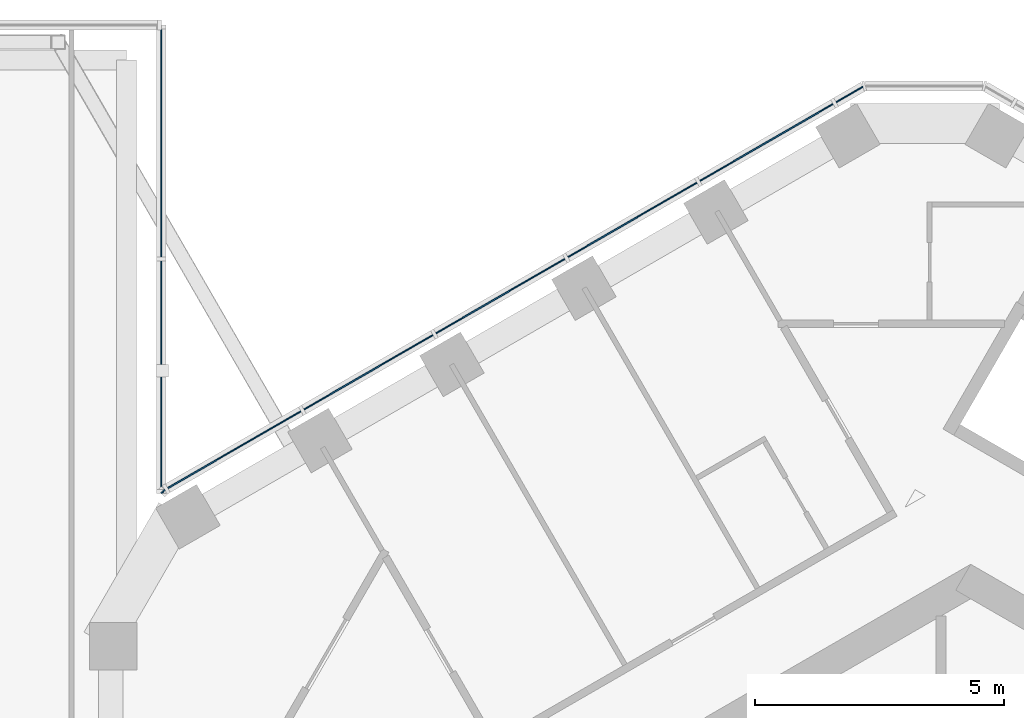
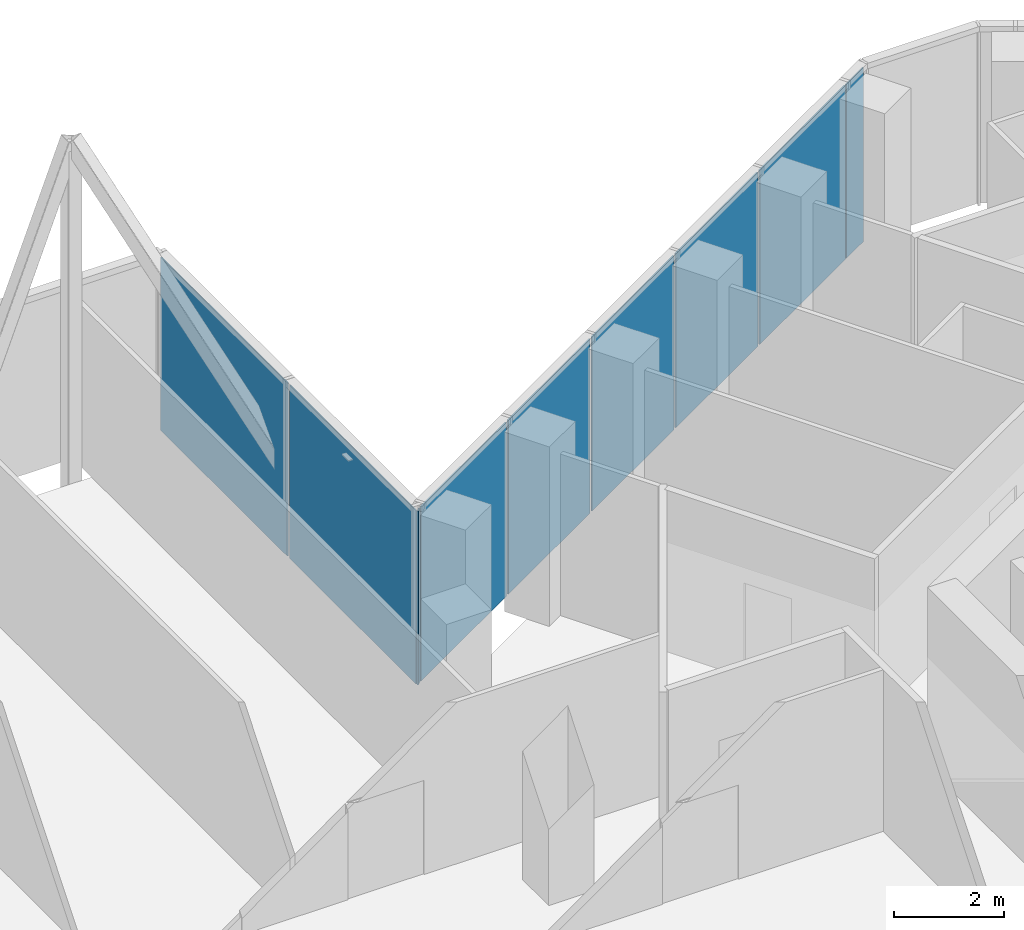
# One storey, part 13 of 21: 9 plates, 4 elements without a shape of their own.
"""IFC4 building model written with IfcOpenShell, lengths in metres."""

from ifc_helpers import new_model, si_unit, direction, frame, origin, origin_2d, place, context, subcontext, project, spatial, rectangle, extrude, material, layer, layer_set, type_object, element, aggregate, save


model = new_model("IFC4")

# Units and contexts
model_context = context("Model", 3, precision=1e-05, world=origin(), true_north=direction((0.0, 1.0)))
body_context = subcontext(model_context, "Body", "Model", "MODEL_VIEW")
ifc_project = project(units=[si_unit("LENGTHUNIT", "METRE"), si_unit("AREAUNIT", "SQUARE_METRE"), si_unit("VOLUMEUNIT", "CUBIC_METRE"), si_unit("PLANEANGLEUNIT", "RADIAN"), si_unit("MASSUNIT", "GRAM", prefix="KILO")], contexts=[model_context])

# Site, building, storey
site_placement = place(None, origin())
site = spatial("IfcSite", under=ifc_project, at=site_placement, CompositionType="ELEMENT")
building_placement = place(site_placement, origin())
building = spatial("IfcBuilding", under=site, at=building_placement, Name="Ayvan Gate Tower", CompositionType="ELEMENT")
storey_placement = place(building_placement, frame((0.0, 0.0, 206.10009765625)))
storey = spatial("IfcBuildingStorey", under=building, at=storey_placement, Name="L55", CompositionType="ELEMENT", Elevation=206.10009765625)

# Curtain wall, plates
ifc_material_1 = material(Name="Bronze anodised aluminium", Category="aluminium")
ifc_layer_1 = layer(ifc_material_1, 0.199951171875)
ifc_layer_set_1 = layer_set([ifc_layer_1], Name="Bronze anodised aluminium")
curtain_wall_type_1 = type_object("IfcCurtainWallType", Name="Stick curtain wall CW-2", PredefinedType="NOTDEFINED", material=ifc_layer_set_1)
curtain_wall_1_placement = place(storey_placement, origin())
curtain_wall_1 = element("IfcCurtainWall", 1, at=curtain_wall_1_placement, inside=storey, type_object=curtain_wall_type_1, Name="Stick curtain wall CW-2 L55", PredefinedType="NOTDEFINED")
ifc_material_2 = material(Name="Clear low-iron laminated glass", Category="glass")
ifc_layer_2 = layer(ifc_material_2, 0.028076171875)
ifc_layer_set_2 = layer_set([ifc_layer_2], Name="Clear low-iron laminated glass")
plate_type_1 = type_object("IfcPlateType", Name="Stick curtain wall CW-2 glass panel", PredefinedType="CURTAIN_PANEL", material=ifc_layer_set_2)
plate_1_placement = place(storey_placement, frame((-4.0849609375, 19.449951171875, 0.0), z_axis=(0.0, 0.0, 1.0), x_axis=(-0.866025403784, -0.5, 0.0)))
plate_1 = element("IfcPlate", 2, at=plate_1_placement, type_object=plate_type_1, Name="CW-2 glass panel 1", PredefinedType="CURTAIN_PANEL", context=body_context, shape_type="SweptSolid", body=[
    extrude(rectangle(XDim=3.123046875, YDim=0.028076171875, at=origin_2d()), origin(), (0.0, 0.0, 1.0), 3.8798828125),
])
plate_2_placement = place(storey_placement, frame((-6.79296875, 17.886474609375, 0.0), z_axis=(0.0, 0.0, 1.0), x_axis=(-0.866025403784, -0.5, 0.0)))
plate_2 = element("IfcPlate", 3, at=plate_2_placement, type_object=plate_type_1, Name="CW-2 glass panel 2", PredefinedType="CURTAIN_PANEL", context=body_context, shape_type="SweptSolid", body=[
    extrude(rectangle(XDim=2.990966796875, YDim=0.028076171875, at=origin_2d()), origin(), (0.0, 0.0, 1.0), 3.8798828125),
])
plate_3_placement = place(storey_placement, frame((-9.443359375, 16.356201171875, 0.0), z_axis=(0.0, 0.0, 1.0), x_axis=(-0.866025403784, -0.5, 0.0)))
plate_3 = element("IfcPlate", 4, at=plate_3_placement, type_object=plate_type_1, Name="CW-2 glass panel 3", PredefinedType="CURTAIN_PANEL", context=body_context, shape_type="SweptSolid", body=[
    extrude(rectangle(XDim=2.989990234375, YDim=0.028076171875, at=origin_2d()), origin(), (0.0, 0.0, 1.0), 3.8798828125),
])
plate_4_placement = place(storey_placement, frame((-12.093994140625, 14.825927734375, 0.0), z_axis=(0.0, 0.0, 1.0), x_axis=(-0.866025403784, -0.5, 0.0)))
plate_4 = element("IfcPlate", 5, at=plate_4_placement, type_object=plate_type_1, Name="CW-2 glass panel 4", PredefinedType="CURTAIN_PANEL", context=body_context, shape_type="SweptSolid", body=[
    extrude(rectangle(XDim=2.990966796875, YDim=0.028076171875, at=origin_2d()), origin(), (0.0, 0.0, 1.0), 3.8798828125),
])
plate_5_placement = place(storey_placement, frame((-14.8017578125, 13.262451171875, 0.0), z_axis=(0.0, 0.0, 1.0), x_axis=(-0.866025403784, -0.5, 0.0)))
plate_5 = element("IfcPlate", 6, at=plate_5_placement, type_object=plate_type_1, Name="CW-2 glass panel 5", PredefinedType="CURTAIN_PANEL", context=body_context, shape_type="SweptSolid", body=[
    extrude(rectangle(XDim=3.12255859375, YDim=0.028076171875, at=origin_2d()), origin(), (0.0, 0.0, 1.0), 3.8798828125),
])
aggregate(curtain_wall_1, [plate_1, plate_2, plate_3, plate_4, plate_5])

ifc_layer_3 = layer(ifc_material_1, 0.199951171875)
ifc_layer_set_3 = layer_set([ifc_layer_3], Name="Bronze anodised aluminium")
curtain_wall_type_2 = type_object("IfcCurtainWallType", Name="Stick curtain wall CW-4", PredefinedType="NOTDEFINED", material=ifc_layer_set_3)
curtain_wall_2_placement = place(storey_placement, origin())
curtain_wall_2 = element("IfcCurtainWall", 7, at=curtain_wall_2_placement, inside=storey, type_object=curtain_wall_type_2, Name="Stick curtain wall CW-4 L55", PredefinedType="NOTDEFINED")
ifc_material_3 = material(Name="Pale anodised aluminium composite panel", Category="aluminium")
ifc_layer_4 = layer(ifc_material_3, 0.028076171875)
ifc_layer_set_4 = layer_set([ifc_layer_4], Name="Pale anodised aluminium composite panel")
plate_type_2 = type_object("IfcPlateType", Name="Stick curtain wall CW-4 solid panel", PredefinedType="CURTAIN_PANEL", material=ifc_layer_set_4)
plate_6_placement = place(storey_placement, frame((-16.25439453125, 14.74560546875, 0.0), z_axis=(0.0, 0.0, 1.0), x_axis=(0.0, 1.0, 0.0)))
plate_6 = element("IfcPlate", 8, at=plate_6_placement, type_object=plate_type_2, Name="CW-4 solid panel 1", PredefinedType="CURTAIN_PANEL", context=body_context, shape_type="SweptSolid", body=[
    extrude(rectangle(XDim=4.623046875, YDim=0.028076171875, at=origin_2d()), origin(), (0.0, 0.0, 1.0), 3.860107421875),
])
plate_7_placement = place(storey_placement, frame((-16.25439453125, 19.448486328125, 0.0), z_axis=(0.0, 0.0, 1.0), x_axis=(0.0, 1.0, 0.0)))
plate_7 = element("IfcPlate", 9, at=plate_7_placement, type_object=plate_type_2, Name="CW-4 solid panel 2", PredefinedType="CURTAIN_PANEL", context=body_context, shape_type="SweptSolid", body=[
    extrude(rectangle(XDim=4.623046875, YDim=0.028076171875, at=origin_2d()), origin(), (0.0, 0.0, 1.0), 3.860107421875),
])
aggregate(curtain_wall_2, [plate_6, plate_7])

# Curtain wall, plate
ifc_layer_5 = layer(ifc_material_1, 0.199951171875)
ifc_layer_set_5 = layer_set([ifc_layer_5], Name="Bronze anodised aluminium")
curtain_wall_type_3 = type_object("IfcCurtainWallType", Name="Stick curtain wall CW-6", PredefinedType="NOTDEFINED", material=ifc_layer_set_5)
curtain_wall_3_placement = place(storey_placement, origin())
curtain_wall_3 = element("IfcCurtainWall", 10, at=curtain_wall_3_placement, inside=storey, type_object=curtain_wall_type_3, Name="Stick curtain wall CW-6 L55", PredefinedType="NOTDEFINED")
ifc_layer_6 = layer(ifc_material_2, 0.028076171875)
ifc_layer_set_6 = layer_set([ifc_layer_6], Name="Clear low-iron laminated glass")
plate_type_3 = type_object("IfcPlateType", Name="Stick curtain wall CW-6 glass panel", PredefinedType="CURTAIN_PANEL", material=ifc_layer_set_6)
plate_8_placement = place(storey_placement, frame((-2.431640625, 20.404296875, 0.0), z_axis=(0.0, 0.0, 1.0), x_axis=(-0.866025403784, -0.5, 0.0)))
plate_8 = element("IfcPlate", 11, at=plate_8_placement, type_object=plate_type_3, Name="CW-6 glass panel 3", PredefinedType="CURTAIN_PANEL", context=body_context, shape_type="SweptSolid", body=[
    extrude(rectangle(XDim=0.625, YDim=0.028076171875, at=origin_2d()), origin(), (0.0, 0.0, 1.0), 3.8798828125),
])
aggregate(curtain_wall_3, [plate_8])

curtain_wall_4_placement = place(storey_placement, origin())
curtain_wall_4 = element("IfcCurtainWall", 12, at=curtain_wall_4_placement, inside=storey, type_object=curtain_wall_type_3, Name="Stick curtain wall CW-6 L55", PredefinedType="NOTDEFINED")
plate_9_placement = place(storey_placement, frame((-16.21923828125, 12.42919921875, 0.0), z_axis=(0.0, 0.0, 1.0), x_axis=(-0.707106781187, -0.707106781187, 0.0)))
plate_9 = element("IfcPlate", 13, at=plate_9_placement, type_object=plate_type_3, Name="CW-6 glass panel 1", PredefinedType="CURTAIN_PANEL", context=body_context, shape_type="SweptSolid", body=[
    extrude(rectangle(XDim=0.099365234375, YDim=0.028076171875, at=origin_2d()), origin(), (0.0, 0.0, 1.0), 3.8798828125),
])
aggregate(curtain_wall_4, [plate_9])

save(model, "model.ifc")
